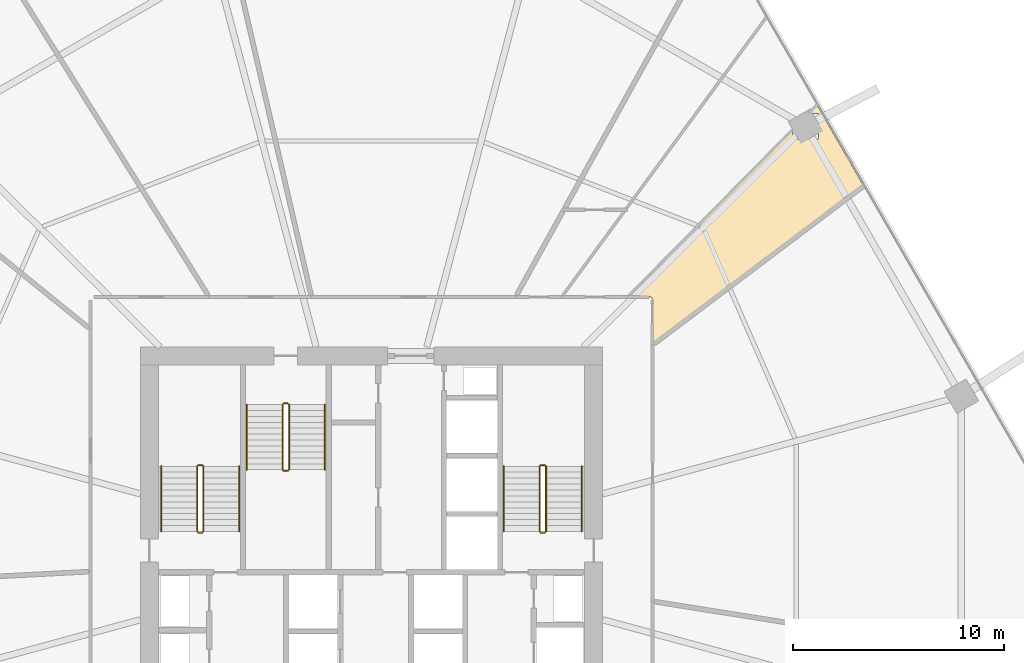
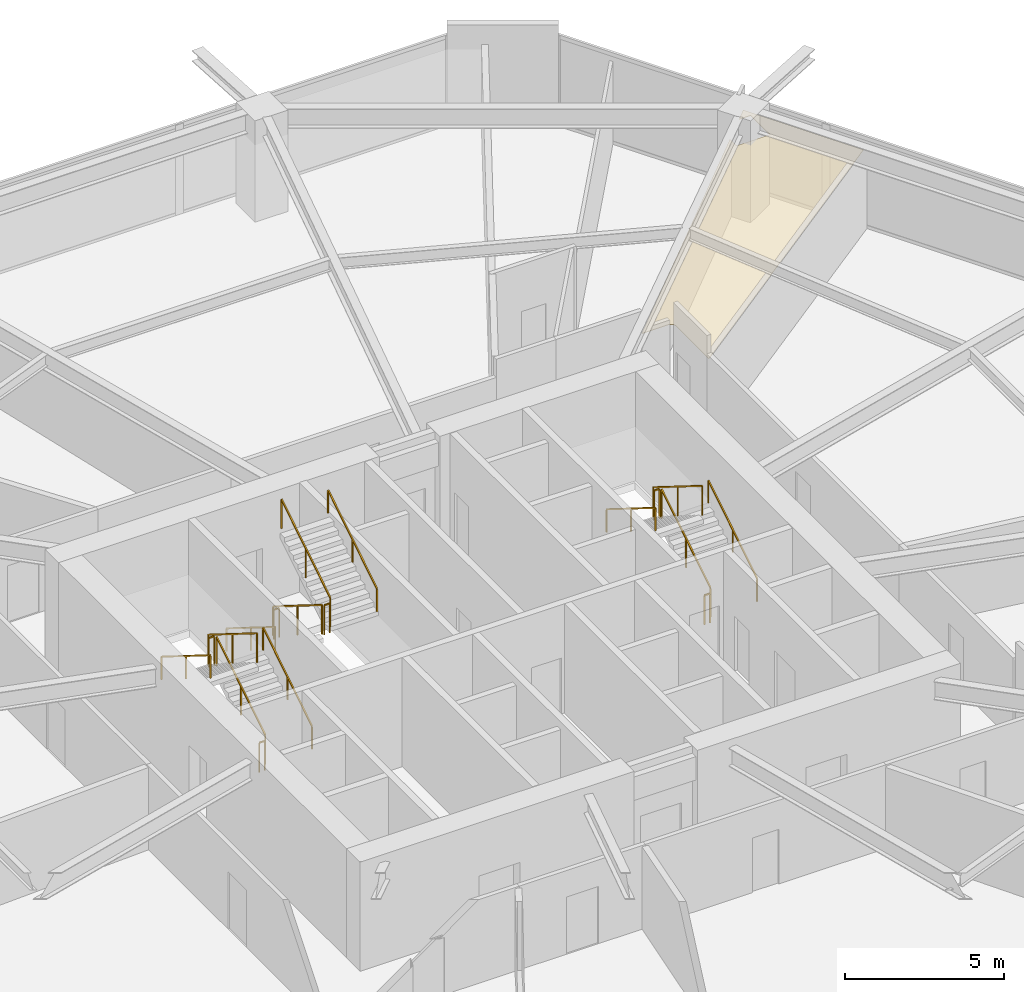
# One storey, part 25 of 26: 18 railings, 1 covering.
"""IFC4 building model written with IfcOpenShell, lengths in metres."""

from ifc_helpers import new_model, si_unit, direction, frame, origin, origin_2d, place, context, subcontext, project, spatial, polyline, rectangle, outline, extrude, material, layer, layer_set, type_object, element, save


model = new_model("IFC4")

# Units and contexts
model_context = context("Model", 3, precision=1e-05, world=origin(), true_north=direction((0.0, 1.0)))
body_context = subcontext(model_context, "Body", "Model", "MODEL_VIEW")
ifc_project = project(units=[si_unit("LENGTHUNIT", "METRE"), si_unit("AREAUNIT", "SQUARE_METRE"), si_unit("VOLUMEUNIT", "CUBIC_METRE"), si_unit("PLANEANGLEUNIT", "RADIAN"), si_unit("MASSUNIT", "GRAM", prefix="KILO")], contexts=[model_context])

# Site, building, storey
site_placement = place(None, origin())
site = spatial("IfcSite", under=ifc_project, at=site_placement, CompositionType="ELEMENT")
building_placement = place(site_placement, origin())
building = spatial("IfcBuilding", under=site, at=building_placement, Name="Zuhravey Tower", CompositionType="ELEMENT")
storey_placement = place(building_placement, frame((0.0, 0.0, 28.800048828125)))
storey = spatial("IfcBuildingStorey", under=building, at=storey_placement, Name="L07", CompositionType="ELEMENT", Elevation=28.800048828125)

# Covering
ifc_material_1 = material(Name="Moisture-resistant gypsum ceiling board")
ifc_layer = layer(ifc_material_1, 0.02001953125)
ifc_layer_set = layer_set([ifc_layer], Name="Moisture-resistant gypsum ceiling board")
covering_type = type_object("IfcCoveringType", Name="Moisture-Resistant Ceiling", PredefinedType="CEILING", material=ifc_layer_set)
covering_placement = place(storey_placement, frame((0.0, 0.0, 2.9599609375)))
element("IfcCovering", 1, at=covering_placement, inside=storey, type_object=covering_type, Name="L07 Wet-Room Ceiling CLG2", PredefinedType="CEILING", context=body_context, shape_type="SweptSolid", body=[
    extrude(outline(polyline([(49.304931640625, 42.051025390625), (49.304931640625, 44.125), (49.30126953125, 44.1611328125), (49.2841796875, 44.208984375), (49.263427734375, 44.239990234375), (49.22412109375, 44.275146484375), (49.17822265625, 44.296875), (49.1416015625, 44.30419921875), (48.16259765625, 44.304931640625), (55.908935546875, 52.160400390625), (55.908935546875, 51.746826171875), (57.12890625, 51.746826171875), (57.12890625, 52.966796875), (56.704345703125, 52.966796875), (57.07177734375, 53.339599609375), (59.2587890625, 49.5517578125), (49.304931640625, 42.051025390625)])), origin(), (0.0, 0.0, 1.0), 0.02001953125),
])

# Railings
ifc_material_2 = material(Name="Brushed stainless steel", Category="steel")
railing_type_1 = type_object("IfcRailingType", Name="Stair Wall Handrail 900", PredefinedType="HANDRAIL", material=ifc_material_2)
railing_1_placement = place(storey_placement, frame((29.75, 33.199951171875, 0.175048828125)))
element("IfcRailing", 2, at=railing_1_placement, inside=storey, type_object=railing_type_1, Name="L07 ST1 stair handrail 1", PredefinedType="HANDRAIL", context=body_context, shape_type="SweptSolid", body=[
    extrude(rectangle(XDim=0.048095703125, YDim=0.048095703125, at=origin_2d()), frame((0.0, 0.001708984375, 0.876953125), z_axis=(0.0, 0.848028513186, 0.529950602248), x_axis=(-1.0, 0.0, 0.0)), (0.0, 0.0, 1.0), 3.6279296875),
    extrude(rectangle(XDim=0.0419921875, YDim=0.0419921875, at=origin_2d()), origin(), (0.0, 0.0, 1.0), 0.849853515625),
    extrude(rectangle(XDim=0.0419921875, YDim=0.0419921875, at=origin_2d()), frame((0.0, 1.5400390625, 0.96240234375)), (0.0, 0.0, 1.0), 0.849853515625),
    extrude(rectangle(XDim=0.0419921875, YDim=0.0419921875, at=origin_2d()), frame((0.0, 3.080078125, 1.9248046875)), (0.0, 0.0, 1.0), 0.849853515625),
])
railing_2_placement = place(storey_placement, frame((26.050048828125, 36.280029296875, 2.27490234375)))
element("IfcRailing", 3, at=railing_2_placement, inside=storey, type_object=railing_type_1, Name="L07 ST1 stair handrail 2", PredefinedType="HANDRAIL", context=body_context, shape_type="SweptSolid", body=[
    extrude(rectangle(XDim=0.048095703125, YDim=0.048095703125, at=origin_2d()), frame((0.0, -0.001708984375, 0.876953125), z_axis=(0.0, -0.847998304005, 0.529998940003), x_axis=(1.0, 0.0, 0.0)), (0.0, 0.0, 1.0), 3.628173828125),
    extrude(rectangle(XDim=0.0419921875, YDim=0.0419921875, at=origin_2d()), origin(), (0.0, 0.0, 1.0), 0.849853515625),
    extrude(rectangle(XDim=0.0419921875, YDim=0.0419921875, at=origin_2d()), frame((0.0, -1.5400390625, 0.96240234375)), (0.0, 0.0, 1.0), 0.849853515625),
    extrude(rectangle(XDim=0.0419921875, YDim=0.0419921875, at=origin_2d()), frame((0.0, -3.080078125, 1.925048828125)), (0.0, 0.0, 1.0), 0.849853515625),
])
railing_3_placement = place(storey_placement, frame((45.949951171875, 33.199951171875, 0.175048828125)))
element("IfcRailing", 4, at=railing_3_placement, inside=storey, type_object=railing_type_1, Name="L07 ST2 stair handrail 1", PredefinedType="HANDRAIL", context=body_context, shape_type="SweptSolid", body=[
    extrude(rectangle(XDim=0.048095703125, YDim=0.048095703125, at=origin_2d()), frame((0.0, 0.001708984375, 0.876953125), z_axis=(0.0, 0.848028513186, 0.529950602248), x_axis=(-1.0, 0.0, 0.0)), (0.0, 0.0, 1.0), 3.6279296875),
    extrude(rectangle(XDim=0.0419921875, YDim=0.0419921875, at=origin_2d()), origin(), (0.0, 0.0, 1.0), 0.849853515625),
    extrude(rectangle(XDim=0.0419921875, YDim=0.0419921875, at=origin_2d()), frame((0.0, 1.5400390625, 0.96240234375)), (0.0, 0.0, 1.0), 0.849853515625),
    extrude(rectangle(XDim=0.0419921875, YDim=0.0419921875, at=origin_2d()), frame((0.0, 3.080078125, 1.9248046875)), (0.0, 0.0, 1.0), 0.849853515625),
])
railing_4_placement = place(storey_placement, frame((42.25, 36.280029296875, 2.27490234375)))
element("IfcRailing", 5, at=railing_4_placement, inside=storey, type_object=railing_type_1, Name="L07 ST2 stair handrail 2", PredefinedType="HANDRAIL", context=body_context, shape_type="SweptSolid", body=[
    extrude(rectangle(XDim=0.048095703125, YDim=0.048095703125, at=origin_2d()), frame((0.0, -0.001708984375, 0.876953125), z_axis=(0.0, -0.847998304005, 0.529998940003), x_axis=(1.0, 0.0, 0.0)), (0.0, 0.0, 1.0), 3.628173828125),
    extrude(rectangle(XDim=0.0419921875, YDim=0.0419921875, at=origin_2d()), origin(), (0.0, 0.0, 1.0), 0.849853515625),
    extrude(rectangle(XDim=0.0419921875, YDim=0.0419921875, at=origin_2d()), frame((0.0, -1.5400390625, 0.96240234375)), (0.0, 0.0, 1.0), 0.849853515625),
    extrude(rectangle(XDim=0.0419921875, YDim=0.0419921875, at=origin_2d()), frame((0.0, -3.080078125, 1.925048828125)), (0.0, 0.0, 1.0), 0.849853515625),
])
railing_5_placement = place(storey_placement, frame((30.10009765625, 39.199951171875, 0.175048828125)))
element("IfcRailing", 6, at=railing_5_placement, inside=storey, type_object=railing_type_1, Name="L07 ST3 stair handrail 1", PredefinedType="HANDRAIL", context=body_context, shape_type="SweptSolid", body=[
    extrude(rectangle(XDim=0.048095703125, YDim=0.048095703125, at=origin_2d()), frame((0.0, -0.001708984375, 0.876953125), z_axis=(0.0, -0.848009633417, 0.529980812513), x_axis=(1.0, 0.0, 0.0)), (0.0, 0.0, 1.0), 3.6279296875),
    extrude(rectangle(XDim=0.0419921875, YDim=0.0419921875, at=origin_2d()), origin(), (0.0, 0.0, 1.0), 0.849853515625),
    extrude(rectangle(XDim=0.0419921875, YDim=0.0419921875, at=origin_2d()), frame((0.0, -1.5400390625, 0.96240234375)), (0.0, 0.0, 1.0), 0.849853515625),
    extrude(rectangle(XDim=0.0419921875, YDim=0.0419921875, at=origin_2d()), frame((0.0, -3.079833984375, 1.9248046875)), (0.0, 0.0, 1.0), 0.849853515625),
])
railing_6_placement = place(storey_placement, frame((33.800048828125, 36.1201171875, 2.27490234375)))
element("IfcRailing", 7, at=railing_6_placement, inside=storey, type_object=railing_type_1, Name="L07 ST3 stair handrail 2", PredefinedType="HANDRAIL", context=body_context, shape_type="SweptSolid", body=[
    extrude(rectangle(XDim=0.048095703125, YDim=0.048095703125, at=origin_2d()), frame((0.0, 0.001708984375, 0.876953125), z_axis=(0.0, 0.847979421464, 0.530029150871), x_axis=(-1.0, 0.0, 0.0)), (0.0, 0.0, 1.0), 3.6279296875),
    extrude(rectangle(XDim=0.0419921875, YDim=0.0419921875, at=origin_2d()), origin(), (0.0, 0.0, 1.0), 0.849853515625),
    extrude(rectangle(XDim=0.0419921875, YDim=0.0419921875, at=origin_2d()), frame((0.0, 1.5400390625, 0.96240234375)), (0.0, 0.0, 1.0), 0.849853515625),
    extrude(rectangle(XDim=0.0419921875, YDim=0.0419921875, at=origin_2d()), frame((0.0, 3.079833984375, 1.925048828125)), (0.0, 0.0, 1.0), 0.849853515625),
])
ifc_material_3 = material(Name="Painted tubular steel", Category="steel")
railing_type_2 = type_object("IfcRailingType", Name="Stair Well Guardrail 1150", PredefinedType="GUARDRAIL", material=ifc_material_3)
railing_7_placement = place(storey_placement, frame((28.050048828125, 33.199951171875, 0.175048828125)))
element("IfcRailing", 8, at=railing_7_placement, inside=storey, type_object=railing_type_2, Name="L07 ST1 stair guard 1", PredefinedType="GUARDRAIL", context=body_context, shape_type="SweptSolid", body=[
    extrude(rectangle(XDim=0.048095703125, YDim=0.048095703125, at=origin_2d()), frame((0.0, 0.001708984375, 1.126953125), z_axis=(0.0, 0.848028513186, 0.529950602248), x_axis=(-1.0, 0.0, 0.0)), (0.0, 0.0, 1.0), 3.6279296875),
    extrude(rectangle(XDim=0.0419921875, YDim=0.0419921875, at=origin_2d()), origin(), (0.0, 0.0, 1.0), 1.099853515625),
    extrude(rectangle(XDim=0.0419921875, YDim=0.0419921875, at=origin_2d()), frame((0.0, 1.5400390625, 0.96240234375)), (0.0, 0.0, 1.0), 1.099853515625),
    extrude(rectangle(XDim=0.0419921875, YDim=0.0419921875, at=origin_2d()), frame((0.0, 3.080078125, 1.9248046875)), (0.0, 0.0, 1.0), 1.099853515625),
])
railing_8_placement = place(storey_placement, frame((28.0, 36.330078125, 2.099853515625)))
element("IfcRailing", 9, at=railing_8_placement, inside=storey, type_object=railing_type_2, Name="L07 ST1 stair guard 2", PredefinedType="GUARDRAIL", context=body_context, shape_type="SweptSolid", body=[
    extrude(rectangle(XDim=0.048095703125, YDim=0.048095703125, at=origin_2d()), frame((-0.001953125, 0.0, 1.1259765625), z_axis=(-1.0, 0.0, 0.0), x_axis=(0.0, -1.0, 0.0)), (0.0, 0.0, 1.0), 0.196044921875),
    extrude(rectangle(XDim=0.0419921875, YDim=0.0419921875, at=origin_2d()), origin(), (0.0, 0.0, 1.0), 1.099853515625),
    extrude(rectangle(XDim=0.0419921875, YDim=0.0419921875, at=origin_2d()), frame((-0.199951171875, 0.0, 0.0)), (0.0, 0.0, 1.0), 1.099853515625),
])
railing_9_placement = place(storey_placement, frame((27.75, 36.280029296875, 2.27490234375)))
element("IfcRailing", 10, at=railing_9_placement, inside=storey, type_object=railing_type_2, Name="L07 ST1 stair guard 3", PredefinedType="GUARDRAIL", context=body_context, shape_type="SweptSolid", body=[
    extrude(rectangle(XDim=0.048095703125, YDim=0.048095703125, at=origin_2d()), frame((0.0, -0.001708984375, 1.126953125), z_axis=(0.0, -0.847998304005, 0.529998940003), x_axis=(1.0, 0.0, 0.0)), (0.0, 0.0, 1.0), 3.628173828125),
    extrude(rectangle(XDim=0.0419921875, YDim=0.0419921875, at=origin_2d()), origin(), (0.0, 0.0, 1.0), 1.099853515625),
    extrude(rectangle(XDim=0.0419921875, YDim=0.0419921875, at=origin_2d()), frame((0.0, -1.5400390625, 0.96240234375)), (0.0, 0.0, 1.0), 1.099853515625),
    extrude(rectangle(XDim=0.0419921875, YDim=0.0419921875, at=origin_2d()), frame((0.0, -3.080078125, 1.925048828125)), (0.0, 0.0, 1.0), 1.099853515625),
])
railing_10_placement = place(storey_placement, frame((28.0, 33.14990234375, 0.0)))
element("IfcRailing", 11, at=railing_10_placement, inside=storey, type_object=railing_type_2, Name="L07 ST1 stair guard 4", PredefinedType="GUARDRAIL", context=body_context, shape_type="SweptSolid", body=[
    extrude(rectangle(XDim=0.048095703125, YDim=0.048095703125, at=origin_2d()), frame((-0.001953125, 0.0, 1.1259765625), z_axis=(-1.0, 0.0, 0.0), x_axis=(0.0, -1.0, 0.0)), (0.0, 0.0, 1.0), 0.196044921875),
    extrude(rectangle(XDim=0.0419921875, YDim=0.0419921875, at=origin_2d()), origin(), (0.0, 0.0, 1.0), 1.099853515625),
    extrude(rectangle(XDim=0.0419921875, YDim=0.0419921875, at=origin_2d()), frame((-0.199951171875, 0.0, 0.0)), (0.0, 0.0, 1.0), 1.099853515625),
])
railing_11_placement = place(storey_placement, frame((44.25, 33.199951171875, 0.175048828125)))
element("IfcRailing", 12, at=railing_11_placement, inside=storey, type_object=railing_type_2, Name="L07 ST2 stair guard 1", PredefinedType="GUARDRAIL", context=body_context, shape_type="SweptSolid", body=[
    extrude(rectangle(XDim=0.048095703125, YDim=0.048095703125, at=origin_2d()), frame((0.0, 0.001708984375, 1.126953125), z_axis=(0.0, 0.848028513186, 0.529950602248), x_axis=(-1.0, 0.0, 0.0)), (0.0, 0.0, 1.0), 3.6279296875),
    extrude(rectangle(XDim=0.0419921875, YDim=0.0419921875, at=origin_2d()), origin(), (0.0, 0.0, 1.0), 1.099853515625),
    extrude(rectangle(XDim=0.0419921875, YDim=0.0419921875, at=origin_2d()), frame((0.0, 1.5400390625, 0.96240234375)), (0.0, 0.0, 1.0), 1.099853515625),
    extrude(rectangle(XDim=0.0419921875, YDim=0.0419921875, at=origin_2d()), frame((0.0, 3.080078125, 1.9248046875)), (0.0, 0.0, 1.0), 1.099853515625),
])
railing_12_placement = place(storey_placement, frame((44.199951171875, 36.330078125, 2.099853515625)))
element("IfcRailing", 13, at=railing_12_placement, inside=storey, type_object=railing_type_2, Name="L07 ST2 stair guard 2", PredefinedType="GUARDRAIL", context=body_context, shape_type="SweptSolid", body=[
    extrude(rectangle(XDim=0.048095703125, YDim=0.048095703125, at=origin_2d()), frame((-0.001953125, 0.0, 1.1259765625), z_axis=(-1.0, 0.0, 0.0), x_axis=(0.0, -1.0, 0.0)), (0.0, 0.0, 1.0), 0.196044921875),
    extrude(rectangle(XDim=0.0419921875, YDim=0.0419921875, at=origin_2d()), origin(), (0.0, 0.0, 1.0), 1.099853515625),
    extrude(rectangle(XDim=0.0419921875, YDim=0.0419921875, at=origin_2d()), frame((-0.199951171875, 0.0, 0.0)), (0.0, 0.0, 1.0), 1.099853515625),
])
railing_13_placement = place(storey_placement, frame((43.949951171875, 36.280029296875, 2.27490234375)))
element("IfcRailing", 14, at=railing_13_placement, inside=storey, type_object=railing_type_2, Name="L07 ST2 stair guard 3", PredefinedType="GUARDRAIL", context=body_context, shape_type="SweptSolid", body=[
    extrude(rectangle(XDim=0.048095703125, YDim=0.048095703125, at=origin_2d()), frame((0.0, -0.001708984375, 1.126953125), z_axis=(0.0, -0.847998304005, 0.529998940003), x_axis=(1.0, 0.0, 0.0)), (0.0, 0.0, 1.0), 3.628173828125),
    extrude(rectangle(XDim=0.0419921875, YDim=0.0419921875, at=origin_2d()), origin(), (0.0, 0.0, 1.0), 1.099853515625),
    extrude(rectangle(XDim=0.0419921875, YDim=0.0419921875, at=origin_2d()), frame((0.0, -1.5400390625, 0.96240234375)), (0.0, 0.0, 1.0), 1.099853515625),
    extrude(rectangle(XDim=0.0419921875, YDim=0.0419921875, at=origin_2d()), frame((0.0, -3.080078125, 1.925048828125)), (0.0, 0.0, 1.0), 1.099853515625),
])
railing_14_placement = place(storey_placement, frame((44.199951171875, 33.14990234375, 0.0)))
element("IfcRailing", 15, at=railing_14_placement, inside=storey, type_object=railing_type_2, Name="L07 ST2 stair guard 4", PredefinedType="GUARDRAIL", context=body_context, shape_type="SweptSolid", body=[
    extrude(rectangle(XDim=0.048095703125, YDim=0.048095703125, at=origin_2d()), frame((-0.001953125, 0.0, 1.1259765625), z_axis=(-1.0, 0.0, 0.0), x_axis=(0.0, -1.0, 0.0)), (0.0, 0.0, 1.0), 0.196044921875),
    extrude(rectangle(XDim=0.0419921875, YDim=0.0419921875, at=origin_2d()), origin(), (0.0, 0.0, 1.0), 1.099853515625),
    extrude(rectangle(XDim=0.0419921875, YDim=0.0419921875, at=origin_2d()), frame((-0.199951171875, 0.0, 0.0)), (0.0, 0.0, 1.0), 1.099853515625),
])
railing_15_placement = place(storey_placement, frame((31.800048828125, 39.199951171875, 0.175048828125)))
element("IfcRailing", 16, at=railing_15_placement, inside=storey, type_object=railing_type_2, Name="L07 ST3 stair guard 1", PredefinedType="GUARDRAIL", context=body_context, shape_type="SweptSolid", body=[
    extrude(rectangle(XDim=0.048095703125, YDim=0.048095703125, at=origin_2d()), frame((0.0, -0.001708984375, 1.126953125), z_axis=(0.0, -0.848009633417, 0.529980812513), x_axis=(1.0, 0.0, 0.0)), (0.0, 0.0, 1.0), 3.6279296875),
    extrude(rectangle(XDim=0.0419921875, YDim=0.0419921875, at=origin_2d()), origin(), (0.0, 0.0, 1.0), 1.099853515625),
    extrude(rectangle(XDim=0.0419921875, YDim=0.0419921875, at=origin_2d()), frame((0.0, -1.5400390625, 0.96240234375)), (0.0, 0.0, 1.0), 1.099853515625),
    extrude(rectangle(XDim=0.0419921875, YDim=0.0419921875, at=origin_2d()), frame((0.0, -3.079833984375, 1.9248046875)), (0.0, 0.0, 1.0), 1.099853515625),
])
railing_16_placement = place(storey_placement, frame((31.85009765625, 36.070068359375, 2.099853515625)))
element("IfcRailing", 17, at=railing_16_placement, inside=storey, type_object=railing_type_2, Name="L07 ST3 stair guard 2", PredefinedType="GUARDRAIL", context=body_context, shape_type="SweptSolid", body=[
    extrude(rectangle(XDim=0.048095703125, YDim=0.048095703125, at=origin_2d()), frame((0.001953125, 0.0, 1.1259765625), z_axis=(1.0, 0.0, 0.0), x_axis=(0.0, 1.0, 0.0)), (0.0, 0.0, 1.0), 0.196044921875),
    extrude(rectangle(XDim=0.0419921875, YDim=0.0419921875, at=origin_2d()), origin(), (0.0, 0.0, 1.0), 1.099853515625),
    extrude(rectangle(XDim=0.0419921875, YDim=0.0419921875, at=origin_2d()), frame((0.199951171875, 0.0, 0.0)), (0.0, 0.0, 1.0), 1.099853515625),
])
railing_17_placement = place(storey_placement, frame((32.10009765625, 36.1201171875, 2.27490234375)))
element("IfcRailing", 18, at=railing_17_placement, inside=storey, type_object=railing_type_2, Name="L07 ST3 stair guard 3", PredefinedType="GUARDRAIL", context=body_context, shape_type="SweptSolid", body=[
    extrude(rectangle(XDim=0.048095703125, YDim=0.048095703125, at=origin_2d()), frame((0.0, 0.001708984375, 1.126953125), z_axis=(0.0, 0.847979421464, 0.530029150871), x_axis=(-1.0, 0.0, 0.0)), (0.0, 0.0, 1.0), 3.6279296875),
    extrude(rectangle(XDim=0.0419921875, YDim=0.0419921875, at=origin_2d()), origin(), (0.0, 0.0, 1.0), 1.099853515625),
    extrude(rectangle(XDim=0.0419921875, YDim=0.0419921875, at=origin_2d()), frame((0.0, 1.5400390625, 0.96240234375)), (0.0, 0.0, 1.0), 1.099853515625),
    extrude(rectangle(XDim=0.0419921875, YDim=0.0419921875, at=origin_2d()), frame((0.0, 3.079833984375, 1.925048828125)), (0.0, 0.0, 1.0), 1.099853515625),
])
railing_18_placement = place(storey_placement, frame((31.85009765625, 39.25, 0.0)))
element("IfcRailing", 19, at=railing_18_placement, inside=storey, type_object=railing_type_2, Name="L07 ST3 stair guard 4", PredefinedType="GUARDRAIL", context=body_context, shape_type="SweptSolid", body=[
    extrude(rectangle(XDim=0.048095703125, YDim=0.048095703125, at=origin_2d()), frame((0.001953125, 0.0, 1.1259765625), z_axis=(1.0, 0.0, 0.0), x_axis=(0.0, 1.0, 0.0)), (0.0, 0.0, 1.0), 0.196044921875),
    extrude(rectangle(XDim=0.0419921875, YDim=0.0419921875, at=origin_2d()), origin(), (0.0, 0.0, 1.0), 1.099853515625),
    extrude(rectangle(XDim=0.0419921875, YDim=0.0419921875, at=origin_2d()), frame((0.199951171875, 0.0, 0.0)), (0.0, 0.0, 1.0), 1.099853515625),
])

save(model, "model.ifc")
